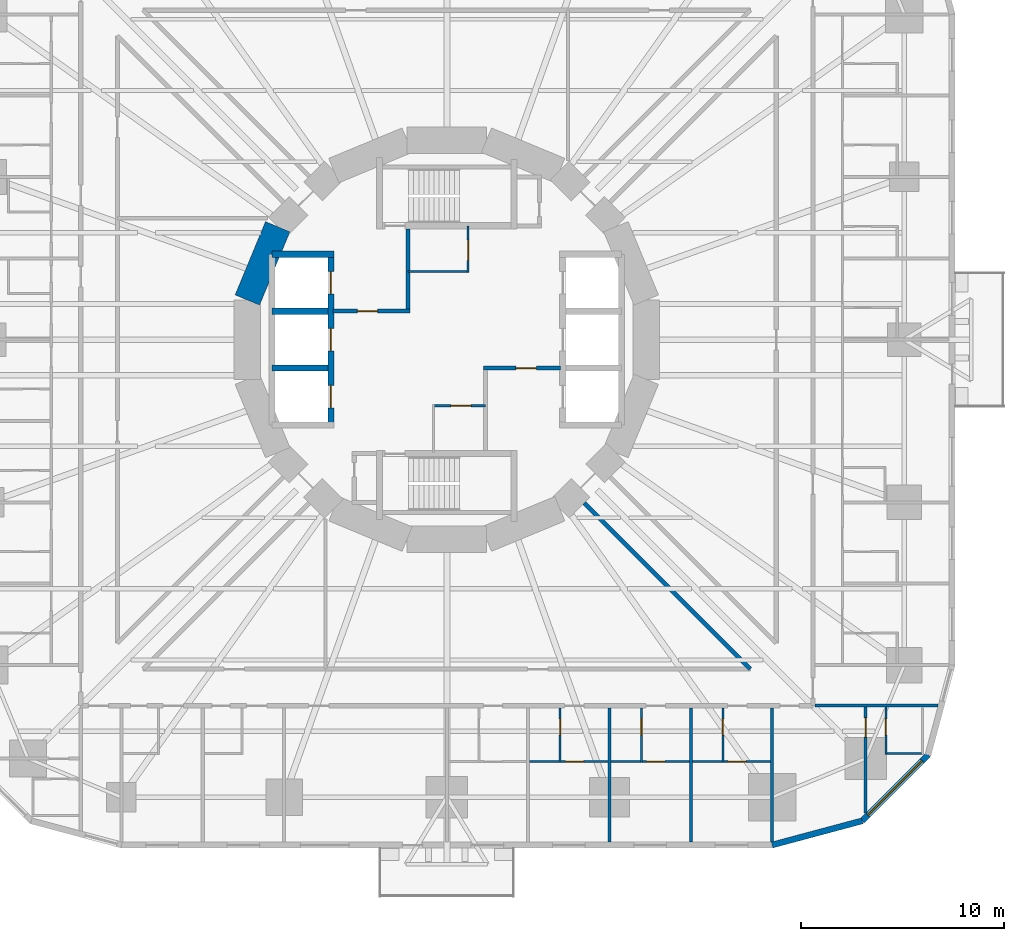
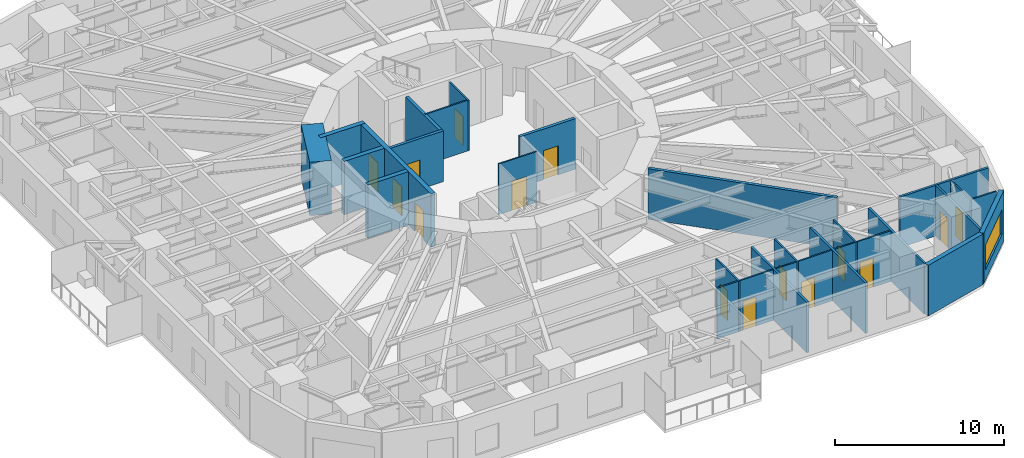
# One storey, part 7 of 14: 30 walls, 15 doors, 1 window, 16 openings.
"""IFC4 building model written with IfcOpenShell, lengths in metres."""

from ifc_helpers import new_model, si_unit, direction, frame, frame_2d, origin, place, context, subcontext, project, spatial, rectangle, extrude, material, layer, layer_set, type_object, element, fill, save


model = new_model("IFC4")

# Units and contexts
model_context = context("Model", 3, precision=1e-05, world=origin(), true_north=direction((0.0, 1.0)))
body_context = subcontext(model_context, "Body", "Model", "MODEL_VIEW")
ifc_project = project(units=[si_unit("LENGTHUNIT", "METRE"), si_unit("AREAUNIT", "SQUARE_METRE"), si_unit("VOLUMEUNIT", "CUBIC_METRE"), si_unit("PLANEANGLEUNIT", "RADIAN"), si_unit("MASSUNIT", "GRAM", prefix="KILO")], contexts=[model_context])

# Site, building, storey
site_placement = place(None, origin())
site = spatial("IfcSite", under=ifc_project, at=site_placement, CompositionType="ELEMENT")
building_placement = place(site_placement, origin())
building = spatial("IfcBuilding", under=site, at=building_placement, Name="Nakasero Lantern House", CompositionType="ELEMENT")
storey_placement = place(building_placement, frame((0.0, 0.0, 27.550048828125)))
storey = spatial("IfcBuildingStorey", under=building, at=storey_placement, Name="L06", CompositionType="ELEMENT", Elevation=27.550048828125)

# Wall, openings, doors
ifc_material_1 = material(Name="Concrete C50/60", Category="concrete")
ifc_layer_1 = layer(ifc_material_1, 0.300048828125)
ifc_layer_set_1 = layer_set([ifc_layer_1], Name="Core inner wall 300")
wall_type_1 = type_object("IfcWallType", Name="Core inner wall 300", PredefinedType="SHEAR", material=ifc_layer_set_1)
wall_1_placement = place(storey_placement, frame((-5.699951171875, -4.199951171875, 0.0), z_axis=(0.0, 0.0, 1.0), x_axis=(0.0, 1.0, 0.0)))
wall_1 = element("IfcWall", 1, at=wall_1_placement, inside=storey, type_object=wall_type_1, Name="Core inner wall L06 LW", PredefinedType="SHEAR", context=body_context, shape_type="SweptSolid", body=[
    extrude(rectangle(XDim=8.39990234375, YDim=0.300048828125, at=frame_2d((4.199951171875, 0.0))), origin(), (0.0, 0.0, 1.0), 3.849853515625),
])
opening_1_placement = place(wall_1_placement, frame((0.85009765625, 0.0, 0.0)))
opening_1 = element("IfcOpeningElement", 2, at=opening_1_placement, cuts=wall_1, Name="Opening LD", PredefinedType="OPENING", context=body_context, shape_type="SweptSolid", body=[
    extrude(rectangle(XDim=1.10009765625, YDim=2.10009765625, at=frame_2d((0.550048828125, 1.050048828125))), frame((0.0, 0.169921875, 0.0), z_axis=(0.0, -1.0, 0.0), x_axis=(1.0, 0.0, 0.0)), (0.0, 0.0, 1.0), 0.340087890625),
])
opening_2_placement = place(wall_1_placement, frame((3.64990234375, 0.0, 0.0)))
opening_2 = element("IfcOpeningElement", 3, at=opening_2_placement, cuts=wall_1, Name="Opening LD", PredefinedType="OPENING", context=body_context, shape_type="SweptSolid", body=[
    extrude(rectangle(XDim=1.10009765625, YDim=2.10009765625, at=frame_2d((0.550048828125, 1.050048828125))), frame((0.0, 0.169921875, 0.0), z_axis=(0.0, -1.0, 0.0), x_axis=(1.0, 0.0, 0.0)), (0.0, 0.0, 1.0), 0.340087890625),
])
opening_3_placement = place(wall_1_placement, frame((6.449951171875, 0.0, 0.0)))
opening_3 = element("IfcOpeningElement", 4, at=opening_3_placement, cuts=wall_1, Name="Opening LD", PredefinedType="OPENING", context=body_context, shape_type="SweptSolid", body=[
    extrude(rectangle(XDim=1.10009765625, YDim=2.10009765625, at=frame_2d((0.550048828125, 1.050048828125))), frame((0.0, 0.169921875, 0.0), z_axis=(0.0, -1.0, 0.0), x_axis=(1.0, 0.0, 0.0)), (0.0, 0.0, 1.0), 0.340087890625),
])
ifc_material_2 = material(Name="Steel S355", Category="steel")
door_type_1 = type_object("IfcDoorType", Name="Lift landing door E120 1100", OperationType="SLIDING_TO_LEFT", PredefinedType="DOOR", material=ifc_material_2)
door_1_placement = place(opening_1_placement, origin())
door_1 = element("IfcDoor", 5, at=door_1_placement, inside=storey, type_object=door_type_1, Name="Lift landing door LW1", OperationType="SLIDING_TO_LEFT", OverallHeight=2.10009765625, OverallWidth=1.10009765625, PredefinedType="DOOR", context=body_context, shape_type="SweptSolid", body=[
    extrude(rectangle(XDim=1.10009765625, YDim=2.10009765625, at=frame_2d((0.550048828125, 1.050048828125))), frame((0.0, 0.02490234375, 0.0), z_axis=(0.0, -1.0, 0.0), x_axis=(1.0, 0.0, 0.0)), (0.0, 0.0, 1.0), 0.050048828125),
])
fill(opening_1, door_1)
door_2_placement = place(opening_2_placement, origin())
door_2 = element("IfcDoor", 6, at=door_2_placement, inside=storey, type_object=door_type_1, Name="Lift landing door LW2", OperationType="SLIDING_TO_LEFT", OverallHeight=2.10009765625, OverallWidth=1.10009765625, PredefinedType="DOOR", context=body_context, shape_type="SweptSolid", body=[
    extrude(rectangle(XDim=1.10009765625, YDim=2.10009765625, at=frame_2d((0.550048828125, 1.050048828125))), frame((0.0, 0.02490234375, 0.0), z_axis=(0.0, -1.0, 0.0), x_axis=(1.0, 0.0, 0.0)), (0.0, 0.0, 1.0), 0.050048828125),
])
fill(opening_2, door_2)
door_3_placement = place(opening_3_placement, origin())
door_3 = element("IfcDoor", 7, at=door_3_placement, inside=storey, type_object=door_type_1, Name="Lift landing door LW3", OperationType="SLIDING_TO_LEFT", OverallHeight=2.10009765625, OverallWidth=1.10009765625, PredefinedType="DOOR", context=body_context, shape_type="SweptSolid", body=[
    extrude(rectangle(XDim=1.10009765625, YDim=2.10009765625, at=frame_2d((0.550048828125, 1.050048828125))), frame((0.0, 0.02490234375, 0.0), z_axis=(0.0, -1.0, 0.0), x_axis=(1.0, 0.0, 0.0)), (0.0, 0.0, 1.0), 0.050048828125),
])
fill(opening_3, door_3)

# Walls
wall_2_placement = place(storey_placement, frame((-8.60009765625, 4.199951171875, 0.0), z_axis=(0.0, 0.0, 1.0), x_axis=(1.0, 0.0, 0.0)))
element("IfcWall", 8, at=wall_2_placement, inside=storey, type_object=wall_type_1, Name="Core inner wall L06 LWN", PredefinedType="SHEAR", context=body_context, shape_type="SweptSolid", body=[
    extrude(rectangle(XDim=3.050048828125, YDim=0.300048828125, at=frame_2d((1.52490234375, 0.0))), origin(), (0.0, 0.0, 1.0), 3.849853515625),
])
for number, where, z_axis, x_axis, name in (
    (9, (-8.60009765625, -1.39990234375, 0.0), (0.0, 0.0, 1.0), (1.0, 0.0, 0.0), "Core inner wall L06 LW1"),
    (10, (-8.60009765625, 1.39990234375, 0.0), (0.0, 0.0, 1.0), (1.0, 0.0, 0.0), "Core inner wall L06 LW2"),
):
    element("IfcWall", number, at=place(storey_placement, frame(where, z_axis=z_axis, x_axis=x_axis)), inside=storey, type_object=wall_type_1, Name=name, PredefinedType="SHEAR", context=body_context, shape_type="SweptSolid", body=[
        extrude(rectangle(XDim=2.75, YDim=0.300048828125, at=frame_2d((1.375, 0.0))), origin(), (0.0, 0.0, 1.0), 3.849853515625),
    ])
ifc_material_3 = material(Name="Blockwork", Category="masonry")
ifc_layer_2 = layer(ifc_material_3, 0.10009765625)
ifc_layer_set_2 = layer_set([ifc_layer_2], Name="Core room wall 100")
wall_type_2 = type_object("IfcWallType", Name="Core room wall 100", PredefinedType="PARTITIONING", material=ifc_layer_set_2)
wall_3_placement = place(storey_placement, frame((-1.89990234375, 3.35009765625, 0.0), z_axis=(0.0, 0.0, 1.0), x_axis=(1.0, 0.0, 0.0)))
element("IfcWall", 11, at=wall_3_placement, inside=storey, type_object=wall_type_2, Name="Core room wall L06 CR-NES", PredefinedType="PARTITIONING", context=body_context, shape_type="SweptSolid", body=[
    extrude(rectangle(XDim=3.0, YDim=0.10009765625, at=frame_2d((1.5, 0.0))), origin(), (0.0, 0.0, 1.0), 3.64990234375),
])

# Wall, opening, door
wall_4_placement = place(storey_placement, frame((1.050048828125, 3.300048828125, 0.0), z_axis=(0.0, 0.0, 1.0), x_axis=(0.0, 1.0, 0.0)))
wall_4 = element("IfcWall", 12, at=wall_4_placement, inside=storey, type_object=wall_type_2, Name="Core room wall L06 CR-NEE", PredefinedType="PARTITIONING", context=body_context, shape_type="SweptSolid", body=[
    extrude(rectangle(XDim=2.300048828125, YDim=0.10009765625, at=frame_2d((1.14990234375, 0.0))), origin(), (0.0, 0.0, 1.0), 3.64990234375),
])
opening_4_placement = place(wall_4_placement, frame((0.60009765625, 0.0, 0.0)))
opening_4 = element("IfcOpeningElement", 13, at=opening_4_placement, cuts=wall_4, Name="Opening D13", PredefinedType="OPENING", context=body_context, shape_type="SweptSolid", body=[
    extrude(rectangle(XDim=1.0, YDim=2.10009765625, at=frame_2d((0.5, 1.050048828125))), frame((0.0, 0.070068359375, 0.0), z_axis=(0.0, -1.0, 0.0), x_axis=(1.0, 0.0, 0.0)), (0.0, 0.0, 1.0), 0.14013671875),
])
ifc_material_4 = material(Name="Steel S355", Category="steel")
door_type_2 = type_object("IfcDoorType", Name="Plant room door FD60 1000", OperationType="SINGLE_SWING_LEFT", PredefinedType="DOOR", material=ifc_material_4)
door_4_placement = place(opening_4_placement, origin())
door_4 = element("IfcDoor", 14, at=door_4_placement, inside=storey, type_object=door_type_2, Name="Door L06 D-CR-NE", OperationType="SINGLE_SWING_LEFT", OverallHeight=2.10009765625, OverallWidth=1.0, PredefinedType="DOOR", context=body_context, shape_type="SweptSolid", body=[
    extrude(rectangle(XDim=1.0, YDim=2.10009765625, at=frame_2d((0.5, 1.050048828125))), frame((0.0, 0.02490234375, 0.0), z_axis=(0.0, -1.0, 0.0), x_axis=(1.0, 0.0, 0.0)), (0.0, 0.0, 1.0), 0.050048828125),
])
fill(opening_4, door_4)

wall_5_placement = place(storey_placement, frame((-0.699951171875, -3.25, 0.0), z_axis=(0.0, 0.0, 1.0), x_axis=(1.0, 0.0, 0.0)))
wall_5 = element("IfcWall", 15, at=wall_5_placement, inside=storey, type_object=wall_type_2, Name="Core room wall L06 CR-SWN", PredefinedType="PARTITIONING", context=body_context, shape_type="SweptSolid", body=[
    extrude(rectangle(XDim=2.599853515625, YDim=0.10009765625, at=frame_2d((1.2998046875, 0.0))), origin(), (0.0, 0.0, 1.0), 3.64990234375),
])
opening_5_placement = place(wall_5_placement, frame((0.89990234375, 0.0, 0.0)))
opening_5 = element("IfcOpeningElement", 16, at=opening_5_placement, cuts=wall_5, Name="Opening D07", PredefinedType="OPENING", context=body_context, shape_type="SweptSolid", body=[
    extrude(rectangle(XDim=1.0, YDim=2.10009765625, at=frame_2d((0.5, 1.050048828125))), frame((0.0, 0.070068359375, 0.0), z_axis=(0.0, -1.0, 0.0), x_axis=(1.0, 0.0, 0.0)), (0.0, 0.0, 1.0), 0.14013671875),
])
ifc_material_5 = material(Name="Timber C24", Category="wood")
door_type_3 = type_object("IfcDoorType", Name="Room door FD30S 1000", OperationType="SINGLE_SWING_LEFT", PredefinedType="DOOR", material=ifc_material_5)
door_5_placement = place(opening_5_placement, origin())
door_5 = element("IfcDoor", 17, at=door_5_placement, inside=storey, type_object=door_type_3, Name="Door L06 D-CR-SW", OperationType="SINGLE_SWING_RIGHT", OverallHeight=2.10009765625, OverallWidth=1.0, PredefinedType="DOOR", context=body_context, shape_type="SweptSolid", body=[
    extrude(rectangle(XDim=1.0, YDim=2.10009765625, at=frame_2d((0.5, 1.050048828125))), frame((0.0, 0.02490234375, 0.0), z_axis=(0.0, -1.0, 0.0), x_axis=(1.0, 0.0, 0.0)), (0.0, 0.0, 1.0), 0.050048828125),
])
fill(opening_5, door_5)

# Walls
ifc_material_6 = material(Name="Concrete C50/60", Category="concrete")
ifc_layer_3 = layer(ifc_material_6, 1.300048828125)
ifc_layer_set_3 = layer_set([ifc_layer_3], Name="Core wall 1300")
wall_type_3 = type_object("IfcWallType", Name="Core wall 1300", PredefinedType="SHEAR", material=ifc_layer_set_3)
wall_6_placement = place(storey_placement, frame((-8.314697265625, 5.5556640625, 0.0), z_axis=(0.0, 0.0, 1.0), x_axis=(-0.382690736062, -0.923876507187, 0.0)))
element("IfcWall", 18, at=wall_6_placement, inside=storey, type_object=wall_type_3, Name="Core wall L06 facet 7", PredefinedType="SHEAR", context=body_context, shape_type="SweptSolid", body=[
    extrude(rectangle(XDim=3.90185546875, YDim=1.300048828125, at=frame_2d((1.950927734375, 0.0))), origin(), (0.0, 0.0, 1.0), 3.849853515625),
])
ifc_material_7 = material(Name="Blockwork", Category="masonry")
ifc_layer_4 = layer(ifc_material_7, 0.199951171875)
ifc_layer_set_4 = layer_set([ifc_layer_4], Name="Corridor wall 200")
wall_type_4 = type_object("IfcWallType", Name="Corridor wall 200", PredefinedType="PARTITIONING", material=ifc_layer_set_4)
wall_7_placement = place(storey_placement, frame((6.758544921875, -8.03125, 0.0), z_axis=(0.0, 0.0, 1.0), x_axis=(0.707106781187, -0.707106781187, 0.0)))
element("IfcWall", 19, at=wall_7_placement, inside=storey, type_object=wall_type_4, Name="Corridor wall L06 PS14b", PredefinedType="PARTITIONING", context=body_context, shape_type="SweptSolid", body=[
    extrude(rectangle(XDim=11.55224609375, YDim=0.199951171875, at=frame_2d((5.776123046875, 0.0))), origin(), (0.0, 0.0, 1.0), 3.64990234375),
])

# Wall, opening, door
ifc_material_8 = material(Name="Blockwork", Category="masonry")
ifc_layer_5 = layer(ifc_material_8, 0.10009765625)
ifc_layer_set_5 = layer_set([ifc_layer_5], Name="En-suite wall 100")
wall_type_5 = type_object("IfcWallType", Name="En-suite wall 100", PredefinedType="PARTITIONING", material=ifc_layer_set_5)
wall_8_placement = place(storey_placement, frame((5.574951171875, -18.10009765625, 0.0), z_axis=(0.0, 0.0, 1.0), x_axis=(0.0, -1.0, 0.0)))
wall_8 = element("IfcWall", 20, at=wall_8_placement, inside=storey, type_object=wall_type_5, Name="En-suite wall L06 ES3-06", PredefinedType="PARTITIONING", context=body_context, shape_type="SweptSolid", body=[
    extrude(rectangle(XDim=2.699951171875, YDim=0.10009765625, at=frame_2d((1.35009765625, 0.0))), origin(), (0.0, 0.0, 1.0), 3.64990234375),
])
opening_6_placement = place(wall_8_placement, frame((0.550048828125, 0.0, 0.0)))
opening_6 = element("IfcOpeningElement", 21, at=opening_6_placement, cuts=wall_8, Name="Opening D02", PredefinedType="OPENING", context=body_context, shape_type="SweptSolid", body=[
    extrude(rectangle(XDim=0.800048828125, YDim=2.10009765625, at=frame_2d((0.39990234375, 1.050048828125))), frame((0.0, 0.070068359375, 0.0), z_axis=(0.0, -1.0, 0.0), x_axis=(1.0, 0.0, 0.0)), (0.0, 0.0, 1.0), 0.14013671875),
])
ifc_material_9 = material(Name="Timber C24", Category="wood")
door_type_4 = type_object("IfcDoorType", Name="En-suite door 800", OperationType="SINGLE_SWING_RIGHT", PredefinedType="DOOR", material=ifc_material_9)
door_6_placement = place(opening_6_placement, origin())
door_6 = element("IfcDoor", 22, at=door_6_placement, inside=storey, type_object=door_type_4, Name="Door L06 DE3-06", OperationType="SINGLE_SWING_LEFT", OverallHeight=2.10009765625, OverallWidth=0.800048828125, PredefinedType="DOOR", context=body_context, shape_type="SweptSolid", body=[
    extrude(rectangle(XDim=0.800048828125, YDim=2.10009765625, at=frame_2d((0.39990234375, 1.050048828125))), frame((0.0, 0.02490234375, 0.0), z_axis=(0.0, -1.0, 0.0), x_axis=(1.0, 0.0, 0.0)), (0.0, 0.0, 1.0), 0.050048828125),
])
fill(opening_6, door_6)

# Wall
wall_9_placement = place(storey_placement, frame((4.074951171875, -20.75, 0.0), z_axis=(0.0, 0.0, 1.0), x_axis=(1.0, 0.0, 0.0)))
element("IfcWall", 23, at=wall_9_placement, inside=storey, type_object=wall_type_5, Name="En-suite wall L06 EE3-06", PredefinedType="PARTITIONING", context=body_context, shape_type="SweptSolid", body=[
    extrude(rectangle(XDim=1.449951171875, YDim=0.10009765625, at=frame_2d((0.72509765625, 0.0))), origin(), (0.0, 0.0, 1.0), 3.64990234375),
])

# Wall, opening, door
wall_10_placement = place(storey_placement, frame((9.574951171875, -18.10009765625, 0.0), z_axis=(0.0, 0.0, 1.0), x_axis=(0.0, -1.0, 0.0)))
wall_10 = element("IfcWall", 24, at=wall_10_placement, inside=storey, type_object=wall_type_5, Name="En-suite wall L06 ES3-07", PredefinedType="PARTITIONING", context=body_context, shape_type="SweptSolid", body=[
    extrude(rectangle(XDim=2.699951171875, YDim=0.10009765625, at=frame_2d((1.35009765625, 0.0))), origin(), (0.0, 0.0, 1.0), 3.64990234375),
])
opening_7_placement = place(wall_10_placement, frame((0.550048828125, 0.0, 0.0)))
opening_7 = element("IfcOpeningElement", 25, at=opening_7_placement, cuts=wall_10, Name="Opening D02", PredefinedType="OPENING", context=body_context, shape_type="SweptSolid", body=[
    extrude(rectangle(XDim=0.800048828125, YDim=2.10009765625, at=frame_2d((0.39990234375, 1.050048828125))), frame((0.0, 0.070068359375, 0.0), z_axis=(0.0, -1.0, 0.0), x_axis=(1.0, 0.0, 0.0)), (0.0, 0.0, 1.0), 0.14013671875),
])
door_7_placement = place(opening_7_placement, origin())
door_7 = element("IfcDoor", 26, at=door_7_placement, inside=storey, type_object=door_type_4, Name="Door L06 DE3-07", OperationType="SINGLE_SWING_LEFT", OverallHeight=2.10009765625, OverallWidth=0.800048828125, PredefinedType="DOOR", context=body_context, shape_type="SweptSolid", body=[
    extrude(rectangle(XDim=0.800048828125, YDim=2.10009765625, at=frame_2d((0.39990234375, 1.050048828125))), frame((0.0, 0.02490234375, 0.0), z_axis=(0.0, -1.0, 0.0), x_axis=(1.0, 0.0, 0.0)), (0.0, 0.0, 1.0), 0.050048828125),
])
fill(opening_7, door_7)

# Wall
wall_11_placement = place(storey_placement, frame((8.074951171875, -20.75, 0.0), z_axis=(0.0, 0.0, 1.0), x_axis=(1.0, 0.0, 0.0)))
element("IfcWall", 27, at=wall_11_placement, inside=storey, type_object=wall_type_5, Name="En-suite wall L06 EE3-07", PredefinedType="PARTITIONING", context=body_context, shape_type="SweptSolid", body=[
    extrude(rectangle(XDim=1.449951171875, YDim=0.10009765625, at=frame_2d((0.72509765625, 0.0))), origin(), (0.0, 0.0, 1.0), 3.64990234375),
])

# Wall, opening, door
wall_12_placement = place(storey_placement, frame((13.574951171875, -18.10009765625, 0.0), z_axis=(0.0, 0.0, 1.0), x_axis=(0.0, -1.0, 0.0)))
wall_12 = element("IfcWall", 28, at=wall_12_placement, inside=storey, type_object=wall_type_5, Name="En-suite wall L06 ES3-08", PredefinedType="PARTITIONING", context=body_context, shape_type="SweptSolid", body=[
    extrude(rectangle(XDim=2.699951171875, YDim=0.10009765625, at=frame_2d((1.35009765625, 0.0))), origin(), (0.0, 0.0, 1.0), 3.64990234375),
])
opening_8_placement = place(wall_12_placement, frame((0.550048828125, 0.0, 0.0)))
opening_8 = element("IfcOpeningElement", 29, at=opening_8_placement, cuts=wall_12, Name="Opening D02", PredefinedType="OPENING", context=body_context, shape_type="SweptSolid", body=[
    extrude(rectangle(XDim=0.800048828125, YDim=2.10009765625, at=frame_2d((0.39990234375, 1.050048828125))), frame((0.0, 0.070068359375, 0.0), z_axis=(0.0, -1.0, 0.0), x_axis=(1.0, 0.0, 0.0)), (0.0, 0.0, 1.0), 0.14013671875),
])
door_8_placement = place(opening_8_placement, origin())
door_8 = element("IfcDoor", 30, at=door_8_placement, inside=storey, type_object=door_type_4, Name="Door L06 DE3-08", OperationType="SINGLE_SWING_LEFT", OverallHeight=2.10009765625, OverallWidth=0.800048828125, PredefinedType="DOOR", context=body_context, shape_type="SweptSolid", body=[
    extrude(rectangle(XDim=0.800048828125, YDim=2.10009765625, at=frame_2d((0.39990234375, 1.050048828125))), frame((0.0, 0.02490234375, 0.0), z_axis=(0.0, -1.0, 0.0), x_axis=(1.0, 0.0, 0.0)), (0.0, 0.0, 1.0), 0.050048828125),
])
fill(opening_8, door_8)

# Wall
wall_13_placement = place(storey_placement, frame((12.074951171875, -20.75, 0.0), z_axis=(0.0, 0.0, 1.0), x_axis=(1.0, 0.0, 0.0)))
element("IfcWall", 31, at=wall_13_placement, inside=storey, type_object=wall_type_5, Name="En-suite wall L06 EE3-08", PredefinedType="PARTITIONING", context=body_context, shape_type="SweptSolid", body=[
    extrude(rectangle(XDim=1.449951171875, YDim=0.10009765625, at=frame_2d((0.72509765625, 0.0))), origin(), (0.0, 0.0, 1.0), 3.64990234375),
])

# Wall, opening, door
wall_14_placement = place(storey_placement, frame((21.59619140625, -18.06494140625, 0.0), z_axis=(0.0, 0.0, 1.0), x_axis=(0.0, -1.0, 0.0)))
wall_14 = element("IfcWall", 32, at=wall_14_placement, inside=storey, type_object=wall_type_5, Name="En-suite wall L06 ES3-09", PredefinedType="PARTITIONING", context=body_context, shape_type="SweptSolid", body=[
    extrude(rectangle(XDim=2.3349609375, YDim=0.10009765625, at=frame_2d((1.16748046875, 0.0))), origin(), (0.0, 0.0, 1.0), 3.64990234375),
])
opening_9_placement = place(wall_14_placement, frame((0.5849609375, 0.0, 0.0)))
opening_9 = element("IfcOpeningElement", 33, at=opening_9_placement, cuts=wall_14, Name="Opening D02", PredefinedType="OPENING", context=body_context, shape_type="SweptSolid", body=[
    extrude(rectangle(XDim=0.800048828125, YDim=2.10009765625, at=frame_2d((0.39990234375, 1.050048828125))), frame((0.0, 0.070068359375, 0.0), z_axis=(0.0, -1.0, 0.0), x_axis=(1.0, 0.0, 0.0)), (0.0, 0.0, 1.0), 0.14013671875),
])
door_9_placement = place(opening_9_placement, origin())
door_9 = element("IfcDoor", 34, at=door_9_placement, inside=storey, type_object=door_type_4, Name="Door L06 DE3-09", OperationType="SINGLE_SWING_LEFT", OverallHeight=2.10009765625, OverallWidth=0.800048828125, PredefinedType="DOOR", context=body_context, shape_type="SweptSolid", body=[
    extrude(rectangle(XDim=0.800048828125, YDim=2.10009765625, at=frame_2d((0.39990234375, 1.050048828125))), frame((0.0, 0.02490234375, 0.0), z_axis=(0.0, -1.0, 0.0), x_axis=(1.0, 0.0, 0.0)), (0.0, 0.0, 1.0), 0.050048828125),
])
fill(opening_9, door_9)

# Wall
wall_15_placement = place(storey_placement, frame((21.646240234375, -20.35009765625, 0.0), z_axis=(0.0, 0.0, 1.0), x_axis=(1.0, 0.0, 0.0)))
element("IfcWall", 35, at=wall_15_placement, inside=storey, type_object=wall_type_5, Name="En-suite wall L06 EE3-09", PredefinedType="PARTITIONING", context=body_context, shape_type="SweptSolid", body=[
    extrude(rectangle(XDim=1.699951171875, YDim=0.10009765625, at=frame_2d((0.85009765625, 0.0))), origin(), (0.0, 0.0, 1.0), 3.64990234375),
])

# Wall, opening, door
wall_16_placement = place(storey_placement, frame((5.625, -20.75, 0.0), z_axis=(0.0, 0.0, 1.0), x_axis=(1.0, 0.0, 0.0)))
wall_16 = element("IfcWall", 36, at=wall_16_placement, inside=storey, type_object=wall_type_5, Name="En-suite wall L06 EL3-06", PredefinedType="PARTITIONING", context=body_context, shape_type="SweptSolid", body=[
    extrude(rectangle(XDim=2.300048828125, YDim=0.10009765625, at=frame_2d((1.14990234375, 0.0))), origin(), (0.0, 0.0, 1.0), 3.64990234375),
])
opening_10_placement = place(wall_16_placement, frame((0.199951171875, 0.0, 0.0)))
opening_10 = element("IfcOpeningElement", 37, at=opening_10_placement, cuts=wall_16, Name="Opening D17", PredefinedType="OPENING", context=body_context, shape_type="SweptSolid", body=[
    extrude(rectangle(XDim=0.89990234375, YDim=2.10009765625, at=frame_2d((0.449951171875, 1.050048828125))), frame((0.0, 0.070068359375, 0.0), z_axis=(0.0, -1.0, 0.0), x_axis=(1.0, 0.0, 0.0)), (0.0, 0.0, 1.0), 0.14013671875),
])
ifc_material_10 = material(Name="Timber C24", Category="wood")
door_type_5 = type_object("IfcDoorType", Name="Bedroom door FD30S 900", OperationType="SINGLE_SWING_LEFT", PredefinedType="DOOR", material=ifc_material_10)
door_10_placement = place(opening_10_placement, origin())
door_10 = element("IfcDoor", 38, at=door_10_placement, inside=storey, type_object=door_type_5, Name="Door L06 DL3-06", OperationType="SINGLE_SWING_LEFT", OverallHeight=2.10009765625, OverallWidth=0.89990234375, PredefinedType="DOOR", context=body_context, shape_type="SweptSolid", body=[
    extrude(rectangle(XDim=0.89990234375, YDim=2.10009765625, at=frame_2d((0.449951171875, 1.050048828125))), frame((0.0, 0.02490234375, 0.0), z_axis=(0.0, -1.0, 0.0), x_axis=(1.0, 0.0, 0.0)), (0.0, 0.0, 1.0), 0.050048828125),
])
fill(opening_10, door_10)

wall_17_placement = place(storey_placement, frame((9.625, -20.75, 0.0), z_axis=(0.0, 0.0, 1.0), x_axis=(1.0, 0.0, 0.0)))
wall_17 = element("IfcWall", 39, at=wall_17_placement, inside=storey, type_object=wall_type_5, Name="En-suite wall L06 EL3-07", PredefinedType="PARTITIONING", context=body_context, shape_type="SweptSolid", body=[
    extrude(rectangle(XDim=2.300048828125, YDim=0.10009765625, at=frame_2d((1.14990234375, 0.0))), origin(), (0.0, 0.0, 1.0), 3.64990234375),
])
opening_11_placement = place(wall_17_placement, frame((0.199951171875, 0.0, 0.0)))
opening_11 = element("IfcOpeningElement", 40, at=opening_11_placement, cuts=wall_17, Name="Opening D17", PredefinedType="OPENING", context=body_context, shape_type="SweptSolid", body=[
    extrude(rectangle(XDim=0.89990234375, YDim=2.10009765625, at=frame_2d((0.449951171875, 1.050048828125))), frame((0.0, 0.070068359375, 0.0), z_axis=(0.0, -1.0, 0.0), x_axis=(1.0, 0.0, 0.0)), (0.0, 0.0, 1.0), 0.14013671875),
])
door_11_placement = place(opening_11_placement, origin())
door_11 = element("IfcDoor", 41, at=door_11_placement, inside=storey, type_object=door_type_5, Name="Door L06 DL3-07", OperationType="SINGLE_SWING_LEFT", OverallHeight=2.10009765625, OverallWidth=0.89990234375, PredefinedType="DOOR", context=body_context, shape_type="SweptSolid", body=[
    extrude(rectangle(XDim=0.89990234375, YDim=2.10009765625, at=frame_2d((0.449951171875, 1.050048828125))), frame((0.0, 0.02490234375, 0.0), z_axis=(0.0, -1.0, 0.0), x_axis=(1.0, 0.0, 0.0)), (0.0, 0.0, 1.0), 0.050048828125),
])
fill(opening_11, door_11)

wall_18_placement = place(storey_placement, frame((13.625, -20.75, 0.0), z_axis=(0.0, 0.0, 1.0), x_axis=(1.0, 0.0, 0.0)))
wall_18 = element("IfcWall", 42, at=wall_18_placement, inside=storey, type_object=wall_type_5, Name="En-suite wall L06 EL3-08", PredefinedType="PARTITIONING", context=body_context, shape_type="SweptSolid", body=[
    extrude(rectangle(XDim=2.300048828125, YDim=0.10009765625, at=frame_2d((1.14990234375, 0.0))), origin(), (0.0, 0.0, 1.0), 3.64990234375),
])
opening_12_placement = place(wall_18_placement, frame((0.199951171875, 0.0, 0.0)))
opening_12 = element("IfcOpeningElement", 43, at=opening_12_placement, cuts=wall_18, Name="Opening D17", PredefinedType="OPENING", context=body_context, shape_type="SweptSolid", body=[
    extrude(rectangle(XDim=0.89990234375, YDim=2.10009765625, at=frame_2d((0.449951171875, 1.050048828125))), frame((0.0, 0.070068359375, 0.0), z_axis=(0.0, -1.0, 0.0), x_axis=(1.0, 0.0, 0.0)), (0.0, 0.0, 1.0), 0.14013671875),
])
door_12_placement = place(opening_12_placement, origin())
door_12 = element("IfcDoor", 44, at=door_12_placement, inside=storey, type_object=door_type_5, Name="Door L06 DL3-08", OperationType="SINGLE_SWING_LEFT", OverallHeight=2.10009765625, OverallWidth=0.89990234375, PredefinedType="DOOR", context=body_context, shape_type="SweptSolid", body=[
    extrude(rectangle(XDim=0.89990234375, YDim=2.10009765625, at=frame_2d((0.449951171875, 1.050048828125))), frame((0.0, 0.02490234375, 0.0), z_axis=(0.0, -1.0, 0.0), x_axis=(1.0, 0.0, 0.0)), (0.0, 0.0, 1.0), 0.050048828125),
])
fill(opening_12, door_12)

# Wall
ifc_material_11 = material(Name="Aluminium rainscreen on blockwork", Category="masonry")
ifc_layer_6 = layer(ifc_material_11, 0.300048828125)
ifc_layer_set_6 = layer_set([ifc_layer_6], Name="Facade wall 300")
wall_type_6 = type_object("IfcWallType", Name="Facade wall 300", PredefinedType="SOLIDWALL", material=ifc_layer_set_6)
wall_19_placement = place(storey_placement, frame((16.0, -24.85009765625, 0.0), z_axis=(0.0, 0.0, 1.0), x_axis=(0.965920218567, 0.258839972501, 0.0)))
element("IfcWall", 45, at=wall_19_placement, inside=storey, type_object=wall_type_6, Name="Facade wall L06 FW3C1", PredefinedType="SOLIDWALL", context=body_context, shape_type="SweptSolid", body=[
    extrude(rectangle(XDim=4.5810546875, YDim=0.300048828125, at=frame_2d((2.29052734375, 0.0))), origin(), (0.0, 0.0, 1.0), 3.64990234375),
])

# Wall, opening, window
wall_20_placement = place(storey_placement, frame((20.425048828125, -23.664306640625, 0.0), z_axis=(0.0, 0.0, 1.0), x_axis=(0.707106781187, 0.707106781187, 0.0)))
wall_20 = element("IfcWall", 46, at=wall_20_placement, inside=storey, type_object=wall_type_6, Name="Facade wall L06 FW3C2", PredefinedType="SOLIDWALL", context=body_context, shape_type="SweptSolid", body=[
    extrude(rectangle(XDim=4.5810546875, YDim=0.300048828125, at=frame_2d((2.29052734375, 0.0))), origin(), (0.0, 0.0, 1.0), 3.64990234375),
])
opening_13_placement = place(wall_20_placement, frame((0.39990234375, 0.0, 0.75)))
opening_13 = element("IfcOpeningElement", 47, at=opening_13_placement, cuts=wall_20, Name="Opening W237", PredefinedType="OPENING", context=body_context, shape_type="SweptSolid", body=[
    extrude(rectangle(XDim=3.781005859375, YDim=1.800048828125, at=frame_2d((1.890625, 0.89990234375))), frame((0.0, 0.169921875, 0.0), z_axis=(0.0, -1.0, 0.0), x_axis=(1.0, 0.0, 0.0)), (0.0, 0.0, 1.0), 0.340087890625),
])
ifc_material_12 = material(Name="Aluminium 6063-T6 and glass", Category="aluminium")
window_type = type_object("IfcWindowType", Name="Corner window 3781x1800", PartitioningType="SINGLE_PANEL", PredefinedType="WINDOW", material=ifc_material_12)
window_placement = place(opening_13_placement, origin())
window = element("IfcWindow", 48, at=window_placement, inside=storey, type_object=window_type, Name="Window L06 WC3", OverallHeight=1.800048828125, OverallWidth=3.781005859375, PartitioningType="SINGLE_PANEL", PredefinedType="WINDOW", context=body_context, shape_type="SweptSolid", body=[
    extrude(rectangle(XDim=3.781005859375, YDim=1.800048828125, at=frame_2d((1.890625, 0.89990234375))), frame((0.0, 0.030029296875, 0.0), z_axis=(0.0, -1.0, 0.0), x_axis=(1.0, 0.0, 0.0)), (0.0, 0.0, 1.0), 0.06005859375),
])
fill(opening_13, window)

# Wall, opening, door
ifc_material_13 = material(Name="Blockwork", Category="masonry")
ifc_layer_7 = layer(ifc_material_13, 0.199951171875)
ifc_layer_set_7 = layer_set([ifc_layer_7], Name="Fire lobby wall 200")
wall_type_7 = type_object("IfcWallType", Name="Fire lobby wall 200", PredefinedType="PARTITIONING", material=ifc_layer_set_7)
wall_21_placement = place(storey_placement, frame((-5.60009765625, 1.39990234375, 0.0), z_axis=(0.0, 0.0, 1.0), x_axis=(1.0, 0.0, 0.0)))
wall_21 = element("IfcWall", 49, at=wall_21_placement, inside=storey, type_object=wall_type_7, Name="Fire lobby wall L06 W-FL1S", PredefinedType="PARTITIONING", context=body_context, shape_type="SweptSolid", body=[
    extrude(rectangle(XDim=3.800048828125, YDim=0.199951171875, at=frame_2d((1.89990234375, 0.0))), origin(), (0.0, 0.0, 1.0), 3.64990234375),
])
opening_14_placement = place(wall_21_placement, frame((1.199951171875, 0.0, 0.0)))
opening_14 = element("IfcOpeningElement", 50, at=opening_14_placement, cuts=wall_21, Name="Opening D05", PredefinedType="OPENING", context=body_context, shape_type="SweptSolid", body=[
    extrude(rectangle(XDim=1.0, YDim=2.10009765625, at=frame_2d((0.5, 1.050048828125))), frame((0.0, 0.119873046875, 0.0), z_axis=(0.0, -1.0, 0.0), x_axis=(1.0, 0.0, 0.0)), (0.0, 0.0, 1.0), 0.239990234375),
])
ifc_material_14 = material(Name="Timber C24", Category="wood")
door_type_6 = type_object("IfcDoorType", Name="Core door FD60S 1000", OperationType="SINGLE_SWING_LEFT", PredefinedType="DOOR", material=ifc_material_14)
door_13_placement = place(opening_14_placement, origin())
door_13 = element("IfcDoor", 51, at=door_13_placement, inside=storey, type_object=door_type_6, Name="Door L06 D-FL1", OperationType="SINGLE_SWING_LEFT", OverallHeight=2.10009765625, OverallWidth=1.0, PredefinedType="DOOR", context=body_context, shape_type="SweptSolid", body=[
    extrude(rectangle(XDim=1.0, YDim=2.10009765625, at=frame_2d((0.5, 1.050048828125))), frame((0.0, 0.02490234375, 0.0), z_axis=(0.0, -1.0, 0.0), x_axis=(1.0, 0.0, 0.0)), (0.0, 0.0, 1.0), 0.050048828125),
])
fill(opening_14, door_13)

# Wall
wall_22_placement = place(storey_placement, frame((-1.89990234375, 1.5, 0.0), z_axis=(0.0, 0.0, 1.0), x_axis=(0.0, 1.0, 0.0)))
element("IfcWall", 52, at=wall_22_placement, inside=storey, type_object=wall_type_7, Name="Fire lobby wall L06 W-FL1E", PredefinedType="PARTITIONING", context=body_context, shape_type="SweptSolid", body=[
    extrude(rectangle(XDim=3.949951171875, YDim=0.199951171875, at=frame_2d((1.97509765625, 0.0))), origin(), (0.0, 0.0, 1.0), 3.64990234375),
])

# Wall, opening, door
wall_23_placement = place(storey_placement, frame((5.60009765625, -1.39990234375, 0.0), z_axis=(0.0, 0.0, 1.0), x_axis=(-1.0, 0.0, 0.0)))
wall_23 = element("IfcWall", 53, at=wall_23_placement, inside=storey, type_object=wall_type_7, Name="Fire lobby wall L06 W-FL2N", PredefinedType="PARTITIONING", context=body_context, shape_type="SweptSolid", body=[
    extrude(rectangle(XDim=3.800048828125, YDim=0.199951171875, at=frame_2d((1.89990234375, 0.0))), origin(), (0.0, 0.0, 1.0), 3.64990234375),
])
opening_15_placement = place(wall_23_placement, frame((1.199951171875, 0.0, 0.0)))
opening_15 = element("IfcOpeningElement", 54, at=opening_15_placement, cuts=wall_23, Name="Opening D05", PredefinedType="OPENING", context=body_context, shape_type="SweptSolid", body=[
    extrude(rectangle(XDim=1.0, YDim=2.10009765625, at=frame_2d((0.5, 1.050048828125))), frame((0.0, 0.119873046875, 0.0), z_axis=(0.0, -1.0, 0.0), x_axis=(1.0, 0.0, 0.0)), (0.0, 0.0, 1.0), 0.239990234375),
])
door_14_placement = place(opening_15_placement, origin())
door_14 = element("IfcDoor", 55, at=door_14_placement, inside=storey, type_object=door_type_6, Name="Door L06 D-FL2", OperationType="SINGLE_SWING_LEFT", OverallHeight=2.10009765625, OverallWidth=1.0, PredefinedType="DOOR", context=body_context, shape_type="SweptSolid", body=[
    extrude(rectangle(XDim=1.0, YDim=2.10009765625, at=frame_2d((0.5, 1.050048828125))), frame((0.0, 0.02490234375, 0.0), z_axis=(0.0, -1.0, 0.0), x_axis=(1.0, 0.0, 0.0)), (0.0, 0.0, 1.0), 0.050048828125),
])
fill(opening_15, door_14)

# Walls
ifc_material_15 = material(Name="Blockwork", Category="masonry")
ifc_layer_8 = layer(ifc_material_15, 0.14990234375)
ifc_layer_set_8 = layer_set([ifc_layer_8], Name="Party wall 150")
wall_type_8 = type_object("IfcWallType", Name="Party wall 150", PredefinedType="PARTITIONING", material=ifc_layer_set_8)
wall_24_placement = place(storey_placement, frame((18.10009765625, -18.0, 0.0), z_axis=(0.0, 0.0, 1.0), x_axis=(1.0, 0.0, 0.0)))
element("IfcWall", 56, at=wall_24_placement, inside=storey, type_object=wall_type_8, Name="Party wall L06 PW0-00", PredefinedType="PARTITIONING", context=body_context, shape_type="SweptSolid", body=[
    extrude(rectangle(XDim=6.053466796875, YDim=0.14990234375, at=frame_2d((3.02685546875, 0.0))), origin(), (0.0, 0.0, 1.0), 3.64990234375),
])
for number, where, z_axis, x_axis, name in (
    (57, (8.0, -18.10009765625, 0.0), (0.0, 0.0, 1.0), (0.0, -1.0, 0.0), "Party wall L06 PW3-07"),
    (58, (12.0, -18.10009765625, 0.0), (0.0, 0.0, 1.0), (0.0, -1.0, 0.0), "Party wall L06 PW3-08"),
):
    element("IfcWall", number, at=place(storey_placement, frame(where, z_axis=z_axis, x_axis=x_axis)), inside=storey, type_object=wall_type_8, Name=name, PredefinedType="PARTITIONING", context=body_context, shape_type="SweptSolid", body=[
        extrude(rectangle(XDim=6.599853515625, YDim=0.14990234375, at=frame_2d((3.2998046875, 0.0))), origin(), (0.0, 0.0, 1.0), 3.64990234375),
    ])
wall_25_placement = place(storey_placement, frame((16.0, -18.10009765625, 0.0), z_axis=(0.0, 0.0, 1.0), x_axis=(0.0, -1.0, 0.0)))
element("IfcWall", 59, at=wall_25_placement, inside=storey, type_object=wall_type_8, Name="Party wall L06 PW3-09", PredefinedType="PARTITIONING", context=body_context, shape_type="SweptSolid", body=[
    extrude(rectangle(XDim=6.58935546875, YDim=0.14990234375, at=frame_2d((3.294677734375, 0.0))), origin(), (0.0, 0.0, 1.0), 3.64990234375),
])

# Wall, opening, door
wall_26_placement = place(storey_placement, frame((20.59619140625, -18.06494140625, 0.0), z_axis=(0.0, 0.0, 1.0), x_axis=(0.0, -1.0, 0.0)))
wall_26 = element("IfcWall", 60, at=wall_26_placement, inside=storey, type_object=wall_type_8, Name="Party wall L06 PC3", PredefinedType="PARTITIONING", context=body_context, shape_type="SweptSolid", body=[
    extrude(rectangle(XDim=5.208740234375, YDim=0.14990234375, at=frame_2d((2.6044921875, 0.0))), origin(), (0.0, 0.0, 1.0), 3.64990234375),
])
opening_16_placement = place(wall_26_placement, frame((0.534912109375, 0.0, 0.0)))
opening_16 = element("IfcOpeningElement", 61, at=opening_16_placement, cuts=wall_26, Name="Opening D01", PredefinedType="OPENING", context=body_context, shape_type="SweptSolid", body=[
    extrude(rectangle(XDim=0.949951171875, YDim=2.10009765625, at=frame_2d((0.47509765625, 1.050048828125))), frame((0.0, 0.094970703125, 0.0), z_axis=(0.0, -1.0, 0.0), x_axis=(1.0, 0.0, 0.0)), (0.0, 0.0, 1.0), 0.18994140625),
])
ifc_material_16 = material(Name="Timber C24", Category="wood")
door_type_7 = type_object("IfcDoorType", Name="Bedroom door FD30S 950", OperationType="SINGLE_SWING_LEFT", PredefinedType="DOOR", material=ifc_material_16)
door_15_placement = place(opening_16_placement, origin())
door_15 = element("IfcDoor", 62, at=door_15_placement, inside=storey, type_object=door_type_7, Name="Door L06 DC3", OperationType="SINGLE_SWING_LEFT", OverallHeight=2.10009765625, OverallWidth=0.949951171875, PredefinedType="DOOR", context=body_context, shape_type="SweptSolid", body=[
    extrude(rectangle(XDim=0.949951171875, YDim=2.10009765625, at=frame_2d((0.47509765625, 1.050048828125))), frame((0.0, 0.02490234375, 0.0), z_axis=(0.0, -1.0, 0.0), x_axis=(1.0, 0.0, 0.0)), (0.0, 0.0, 1.0), 0.050048828125),
])
fill(opening_16, door_15)

save(model, "model.ifc")
